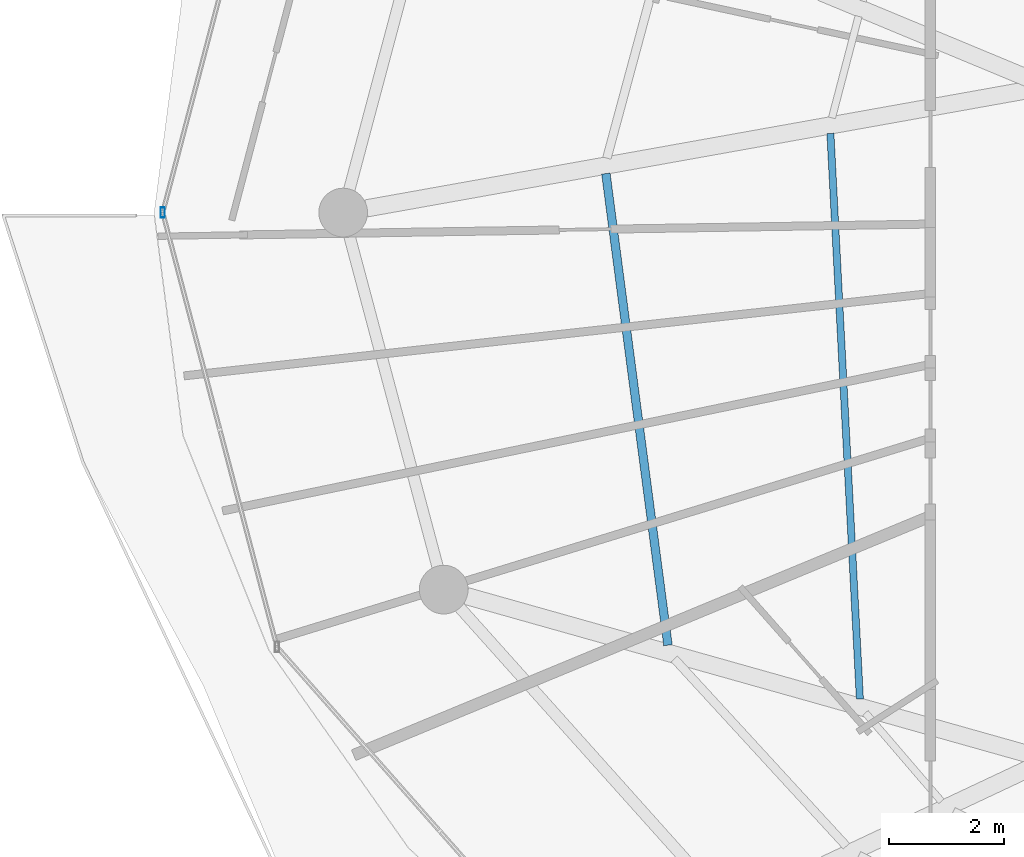
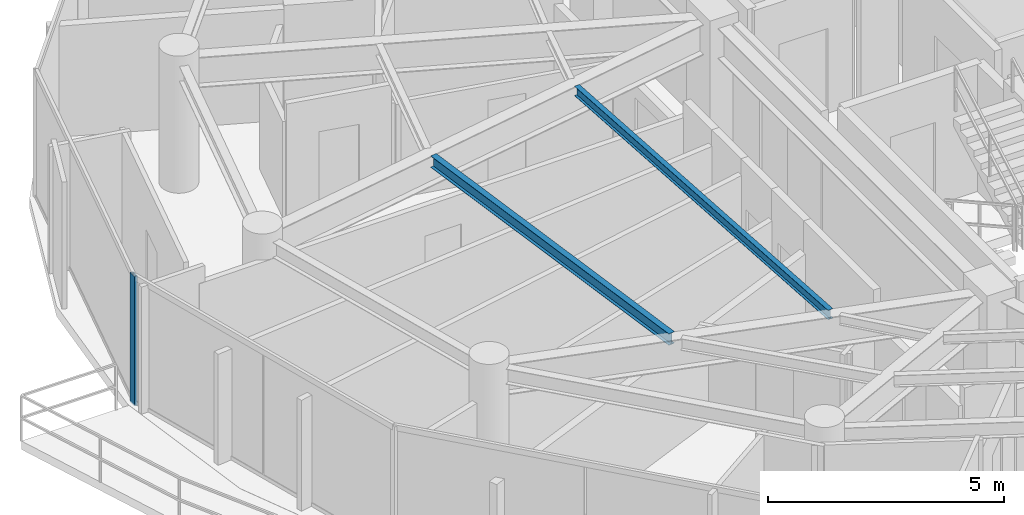
# One storey, part 7 of 30: 2 beams, 1 member, 1 element without a shape of its own.
"""IFC4 building model written with IfcOpenShell, lengths in metres."""

from ifc_helpers import new_model, si_unit, direction, frame, origin, origin_2d, place, context, subcontext, project, spatial, hollow_rectangle, i_section, extrude, material, material_profile, profile_set, type_object, element, aggregate, save


model = new_model("IFC4")

# Units and contexts
model_context = context("Model", 3, precision=1e-05, world=origin(), true_north=direction((0.0, 1.0)))
body_context = subcontext(model_context, "Body", "Model", "MODEL_VIEW")
ifc_project = project(units=[si_unit("LENGTHUNIT", "METRE"), si_unit("AREAUNIT", "SQUARE_METRE"), si_unit("VOLUMEUNIT", "CUBIC_METRE"), si_unit("PLANEANGLEUNIT", "RADIAN"), si_unit("MASSUNIT", "GRAM", prefix="KILO")], contexts=[model_context])

# Site, building, storey
site_placement = place(None, origin())
site = spatial("IfcSite", under=ifc_project, at=site_placement, CompositionType="ELEMENT")
building_placement = place(site_placement, origin())
building = spatial("IfcBuilding", under=site, at=building_placement, Name="Vorneva Point Tower", CompositionType="ELEMENT")
storey_placement = place(building_placement, frame((0.0, 0.0, 252.0)))
storey = spatial("IfcBuildingStorey", under=building, at=storey_placement, Name="L68", CompositionType="ELEMENT", Elevation=252.0)

# Beams
ifc_material_1 = material(Name="Steel S355", Category="steel")
ifc_material_profile_1 = material_profile(ifc_material_1, i_section(OverallWidth=0.1240234375, OverallDepth=0.248046875, WebThickness=0.0048828125, FlangeThickness=0.008056640625, at=origin_2d()), Name="25B1")
ifc_profile_set_1 = profile_set([ifc_material_profile_1], Name="Steel S355")
beam_type_1 = type_object("IfcBeamType", Name="BM-JST-25B1", PredefinedType="JOIST", material=ifc_profile_set_1)
beam_1_placement = place(storey_placement, frame((23.454833984375, 27.382080078125, 3.166015625), z_axis=(0.052055932544, -0.998644170807, 0.0), x_axis=(0.998644170807, 0.052055932544, 0.0)))
element("IfcBeam", 1, at=beam_1_placement, inside=storey, type_object=beam_type_1, Name="L68 Secondary Floor Beam 2.09", PredefinedType="JOIST", context=body_context, shape_type="SweptSolid", body=[
    extrude(i_section(OverallWidth=0.1240234375, OverallDepth=0.248046875, WebThickness=0.0048828125, FlangeThickness=0.008056640625, at=origin_2d()), origin(), (0.0, 0.0, 1.0), 9.886474609375),
])
ifc_material_profile_2 = material_profile(ifc_material_1, i_section(OverallWidth=0.14892578125, OverallDepth=0.298095703125, WebThickness=0.005615234375, FlangeThickness=0.008056640625, at=origin_2d()), Name="30B1")
ifc_profile_set_2 = profile_set([ifc_material_profile_2], Name="Steel S355")
beam_type_2 = type_object("IfcBeamType", Name="BM-JST-30B1", PredefinedType="JOIST", material=ifc_profile_set_2)
beam_2_placement = place(storey_placement, frame((19.53564453125, 26.68017578125, 3.14111328125), z_axis=(0.13054578094, -0.991442282273, 0.0), x_axis=(0.991442282273, 0.13054578094, 0.0)))
element("IfcBeam", 2, at=beam_2_placement, inside=storey, type_object=beam_type_2, Name="L68 Secondary Floor Beam 1.09", PredefinedType="JOIST", context=body_context, shape_type="SweptSolid", body=[
    extrude(i_section(OverallWidth=0.14892578125, OverallDepth=0.298095703125, WebThickness=0.005615234375, FlangeThickness=0.008056640625, at=origin_2d()), origin(), (0.0, 0.0, 1.0), 8.303466796875),
])

# Curtain wall, member
ifc_material_2 = material(Name="Pale anodised aluminium", Category="aluminium")
curtain_wall_type = type_object("IfcCurtainWallType", Name="CW-RES-SYS", PredefinedType="NOTDEFINED", material=ifc_material_2)
curtain_wall_placement = place(storey_placement, origin())
curtain_wall = element("IfcCurtainWall", 3, at=curtain_wall_placement, inside=storey, type_object=curtain_wall_type, Name="L68 Unitised Curtain Wall CW-L68-R03", PredefinedType="NOTDEFINED")
ifc_material_profile_3 = material_profile(ifc_material_2, hollow_rectangle(XDim=0.074951171875, YDim=0.179931640625, WallThickness=0.00390625, at=origin_2d()), Name="AL-MUL 180x75x4")
ifc_profile_set_3 = profile_set([ifc_material_profile_3], Name="Pale anodised aluminium")
member_type = type_object("IfcMemberType", Name="CW-MUL-180", PredefinedType="MULLION", material=ifc_profile_set_3)
member_placement = place(storey_placement, frame((11.800048828125, 26.0, -0.0400390625), z_axis=(0.0, 0.0, 1.0), x_axis=(1.0, 0.0, 0.0)))
member = element("IfcMember", 4, at=member_placement, type_object=member_type, Name="CW-L68-R03 Mullion 03", PredefinedType="MULLION", context=body_context, shape_type="SweptSolid", body=[
    extrude(hollow_rectangle(XDim=0.074951171875, YDim=0.179931640625, WallThickness=0.00390625, at=origin_2d()), origin(), (0.0, 0.0, 1.0), 3.360107421875),
])
aggregate(curtain_wall, [member])

save(model, "model.ifc")
